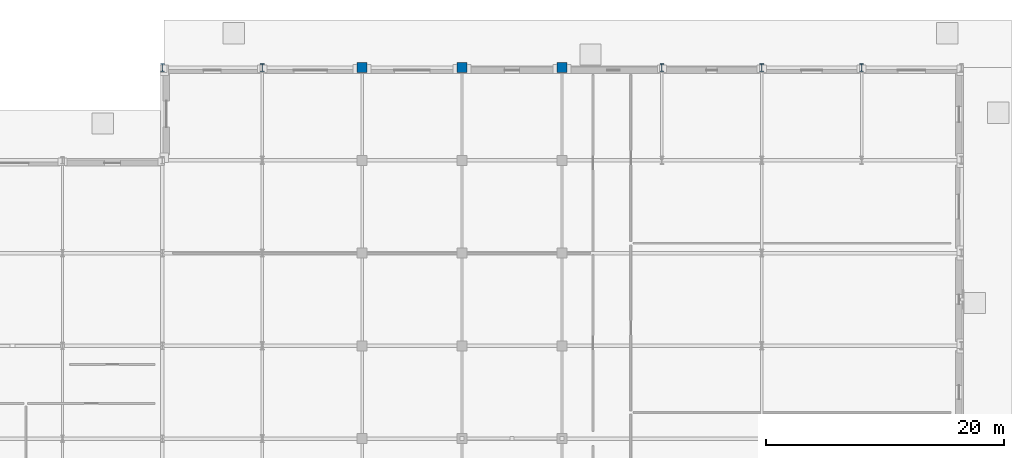
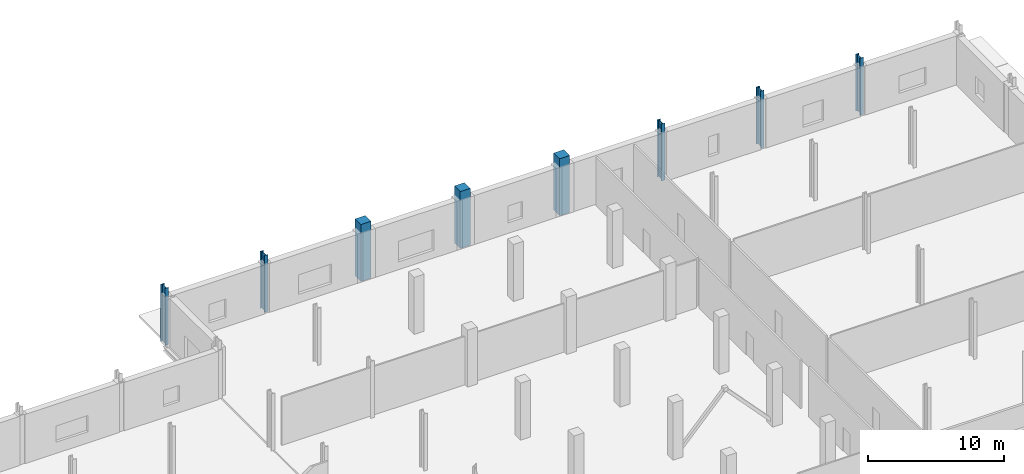
# One storey, part 19 of 80: 8 columns.
"""IFC4 building model written with IfcOpenShell, lengths in metres."""

from ifc_helpers import new_model, si_unit, direction, frame, origin, origin_2d, place, context, subcontext, project, spatial, rectangle, i_section, extrude, material, material_profile, profile_set, type_object, element, save


model = new_model("IFC4")

# Units and contexts
model_context = context("Model", 3, precision=1e-05, world=origin(), true_north=direction((0.0, 1.0)))
body_context = subcontext(model_context, "Body", "Model", "MODEL_VIEW")
ifc_project = project(units=[si_unit("LENGTHUNIT", "METRE"), si_unit("AREAUNIT", "SQUARE_METRE"), si_unit("VOLUMEUNIT", "CUBIC_METRE"), si_unit("PLANEANGLEUNIT", "RADIAN"), si_unit("MASSUNIT", "GRAM", prefix="KILO")], contexts=[model_context])

# Site, building, storey
site_placement = place(None, origin())
site = spatial("IfcSite", under=ifc_project, at=site_placement, CompositionType="ELEMENT")
building_placement = place(site_placement, origin())
building = spatial("IfcBuilding", under=site, at=building_placement, Name="Nabrawat Pavilion Hospital", CompositionType="ELEMENT")
storey_placement = place(building_placement, origin())
storey = spatial("IfcBuildingStorey", under=building, at=storey_placement, Name="L00", CompositionType="ELEMENT", Elevation=0.0)

# Columns
ifc_material_1 = material(Name="Steel S355", Category="steel")
ifc_material_profile_1 = material_profile(ifc_material_1, i_section(OverallWidth=0.300048828125, OverallDepth=0.64990234375, WebThickness=0.01611328125, FlangeThickness=0.031005859375, FilletRadius=0.027099609375, at=origin_2d()), Name="HEB 650")
ifc_profile_set_1 = profile_set([ifc_material_profile_1], Name="Steel S355")
column_type_1 = type_object("IfcColumnType", Name="Heavy Composite Steel Column HEB 650", PredefinedType="COLUMN", material=ifc_profile_set_1)
for number, where, z_axis, x_axis, name in (
    (1, (126.0, 124.800048828125, 0.0), (0.0, 0.0, 1.0), (1.0, 0.0, 0.0), "L00 Structural Column G-16A-S"),
    (2, (134.39990234375, 124.800048828125, 0.0), (0.0, 0.0, 1.0), (1.0, 0.0, 0.0), "L00 Structural Column G-17-S"),
    (3, (168.0, 124.800048828125, 0.0), (0.0, 0.0, 1.0), (1.0, 0.0, 0.0), "L00 Structural Column G-21-S"),
    (4, (176.39990234375, 124.800048828125, 0.0), (0.0, 0.0, 1.0), (1.0, 0.0, 0.0), "L00 Structural Column G-22-S"),
    (5, (184.800048828125, 124.800048828125, 0.0), (0.0, 0.0, 1.0), (1.0, 0.0, 0.0), "L00 Structural Column G-23-S"),
):
    element("IfcColumn", number, at=place(storey_placement, frame(where, z_axis=z_axis, x_axis=x_axis)), inside=storey, type_object=column_type_1, Name=name, PredefinedType="COLUMN", context=body_context, shape_type="SweptSolid", body=[
        extrude(i_section(OverallWidth=0.300048828125, OverallDepth=0.64990234375, WebThickness=0.01611328125, FlangeThickness=0.031005859375, FilletRadius=0.027099609375, at=origin_2d()), origin(), (0.0, 0.0, 1.0), 5.10009765625),
    ])
ifc_material_2 = material(Name="Concrete C40/50", Category="concrete")
ifc_material_profile_2 = material_profile(ifc_material_2, rectangle(XDim=0.85009765625, YDim=0.85009765625, at=origin_2d()), Name="RC 850x850")
ifc_profile_set_2 = profile_set([ifc_material_profile_2], Name="Concrete C40/50")
column_type_2 = type_object("IfcColumnType", Name="Lower Ward RC Column 850x850", PredefinedType="COLUMN", material=ifc_profile_set_2)
for number, where, z_axis, x_axis, name in (
    (6, (142.800048828125, 124.800048828125, 0.0), (0.0, 0.0, 1.0), (1.0, 0.0, 0.0), "L00 Structural Column G-18-S"),
    (7, (151.199951171875, 124.800048828125, 0.0), (0.0, 0.0, 1.0), (1.0, 0.0, 0.0), "L00 Structural Column G-19-S"),
    (8, (159.60009765625, 124.800048828125, 0.0), (0.0, 0.0, 1.0), (1.0, 0.0, 0.0), "L00 Structural Column G-20-S"),
):
    element("IfcColumn", number, at=place(storey_placement, frame(where, z_axis=z_axis, x_axis=x_axis)), inside=storey, type_object=column_type_2, Name=name, PredefinedType="COLUMN", context=body_context, shape_type="SweptSolid", body=[
        extrude(rectangle(XDim=0.85009765625, YDim=0.85009765625, at=origin_2d()), origin(), (0.0, 0.0, 1.0), 5.10009765625),
    ])

save(model, "model.ifc")
